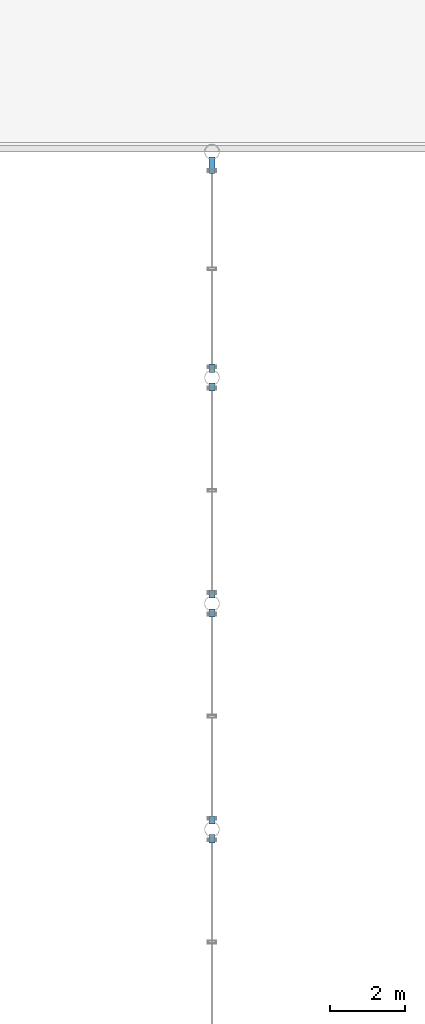
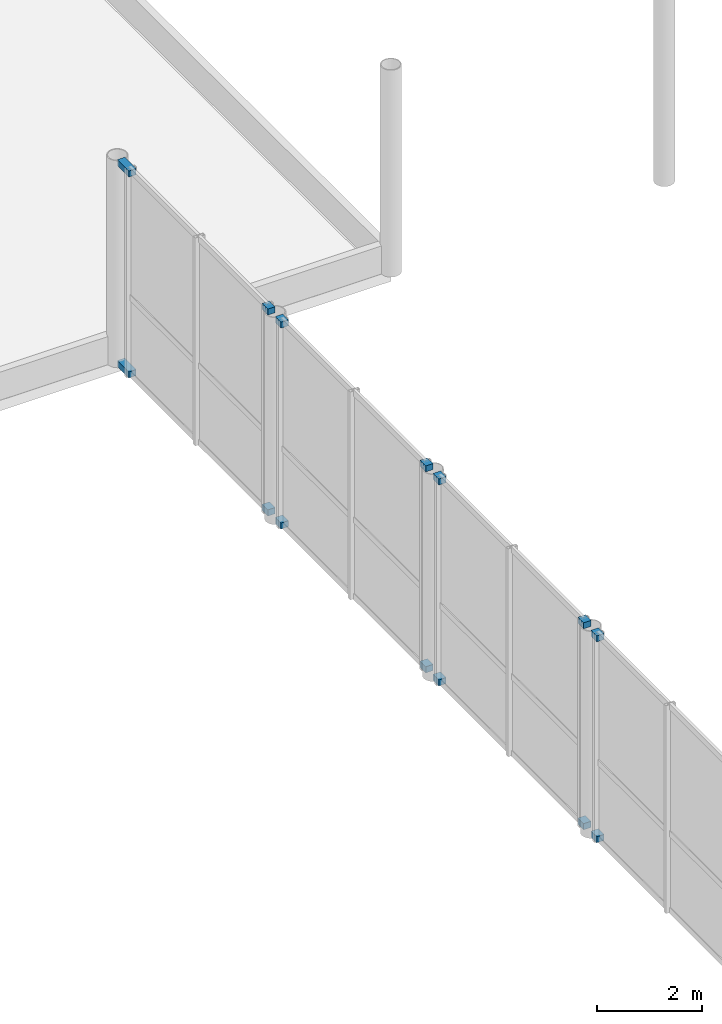
# One storey, part 112 of 123: 14 discrete accessories.
"""IFC4 building model written with IfcOpenShell, lengths in metres."""

from ifc_helpers import new_model, si_unit, direction, frame, origin, origin_2d, place, context, subcontext, project, spatial, rectangle, extrude, material, type_object, element, save


model = new_model("IFC4")

# Units and contexts
model_context = context("Model", 3, precision=1e-05, world=origin(), true_north=direction((0.0, 1.0)))
body_context = subcontext(model_context, "Body", "Model", "MODEL_VIEW")
ifc_project = project(units=[si_unit("LENGTHUNIT", "METRE"), si_unit("AREAUNIT", "SQUARE_METRE"), si_unit("VOLUMEUNIT", "CUBIC_METRE"), si_unit("PLANEANGLEUNIT", "RADIAN"), si_unit("MASSUNIT", "GRAM", prefix="KILO"), si_unit("THERMODYNAMICTEMPERATUREUNIT", "KELVIN"), si_unit("POWERUNIT", "WATT")], contexts=[model_context])

# Site, building, storey
site_placement = place(None, origin())
site = spatial("IfcSite", under=ifc_project, at=site_placement, CompositionType="ELEMENT")
building_placement = place(site_placement, origin())
building = spatial("IfcBuilding", under=site, at=building_placement, Name="Phaisarnlok Congress Hotel", CompositionType="ELEMENT")
storey_placement = place(building_placement, frame((0.0, 0.0, 15.0)))
storey = spatial("IfcBuildingStorey", under=building, at=storey_placement, Name="L03", CompositionType="ELEMENT", Elevation=15.0)

# Discrete accessories
ifc_material = material(Name="Steel S355", Category="steel")
discrete_accessory_type = type_object("IfcDiscreteAccessoryType", Name="ACC-BRK-STL", PredefinedType="BRACKET", material=ifc_material)
for number, where, z_axis, x_axis, name in (
    (1, (120.0, 65.75, 0.0), (0.0, 0.0, 1.0), (1.0, 0.0, 0.0), "Curtain wall steel jamb spider bracket BK-01"),
    (2, (120.0, 65.75, 4.66015625), (0.0, 0.0, 1.0), (1.0, 0.0, 0.0), "Curtain wall steel jamb spider bracket BK-01"),
    (3, (120.0, 66.25, 0.0), (0.0, 0.0, 1.0), (1.0, 0.0, 0.0), "Curtain wall steel jamb spider bracket BK-01"),
    (4, (120.0, 66.25, 4.66015625), (0.0, 0.0, 1.0), (1.0, 0.0, 0.0), "Curtain wall steel jamb spider bracket BK-01"),
    (5, (120.0, 71.75, 0.0), (0.0, 0.0, 1.0), (1.0, 0.0, 0.0), "Curtain wall steel jamb spider bracket BK-01"),
    (6, (120.0, 71.75, 4.66015625), (0.0, 0.0, 1.0), (1.0, 0.0, 0.0), "Curtain wall steel jamb spider bracket BK-01"),
    (7, (120.0, 72.25, 0.0), (0.0, 0.0, 1.0), (1.0, 0.0, 0.0), "Curtain wall steel jamb spider bracket BK-01"),
    (8, (120.0, 72.25, 4.66015625), (0.0, 0.0, 1.0), (1.0, 0.0, 0.0), "Curtain wall steel jamb spider bracket BK-01"),
    (9, (120.0, 77.75, 0.0), (0.0, 0.0, 1.0), (1.0, 0.0, 0.0), "Curtain wall steel jamb spider bracket BK-01"),
    (10, (120.0, 77.75, 4.66015625), (0.0, 0.0, 1.0), (1.0, 0.0, 0.0), "Curtain wall steel jamb spider bracket BK-01"),
    (11, (120.0, 78.25, 0.0), (0.0, 0.0, 1.0), (1.0, 0.0, 0.0), "Curtain wall steel jamb spider bracket BK-01"),
    (12, (120.0, 78.25, 4.66015625), (0.0, 0.0, 1.0), (1.0, 0.0, 0.0), "Curtain wall steel jamb spider bracket BK-01"),
):
    element("IfcDiscreteAccessory", number, at=place(storey_placement, frame(where, z_axis=z_axis, x_axis=x_axis)), inside=storey, type_object=discrete_accessory_type, Name=name, PredefinedType="BRACKET", context=body_context, shape_type="SweptSolid", body=[
        extrude(rectangle(XDim=0.159912109375, YDim=0.219970703125, at=origin_2d()), origin(), (0.0, 0.0, 1.0), 0.139892578125),
    ])
for number, where, z_axis, x_axis, name in (
    (13, (120.0, 83.639892578125, 0.0), (0.0, 0.0, 1.0), (1.0, 0.0, 0.0), "Curtain wall steel jamb spider bracket BK-01"),
    (14, (120.0, 83.639892578125, 4.66015625), (0.0, 0.0, 1.0), (1.0, 0.0, 0.0), "Curtain wall steel jamb spider bracket BK-01"),
):
    element("IfcDiscreteAccessory", number, at=place(storey_placement, frame(where, z_axis=z_axis, x_axis=x_axis)), inside=storey, type_object=discrete_accessory_type, Name=name, PredefinedType="BRACKET", context=body_context, shape_type="SweptSolid", body=[
        extrude(rectangle(XDim=0.159912109375, YDim=0.43994140625, at=origin_2d()), origin(), (0.0, 0.0, 1.0), 0.139892578125),
    ])

save(model, "model.ifc")
